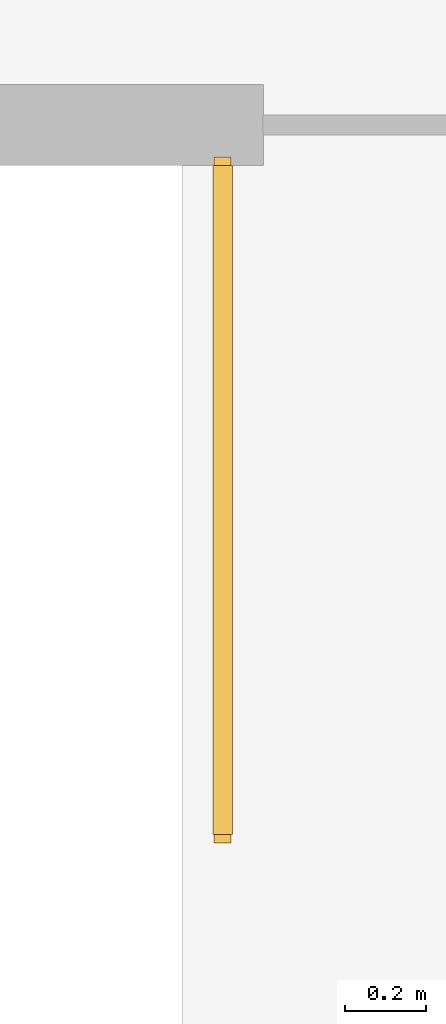
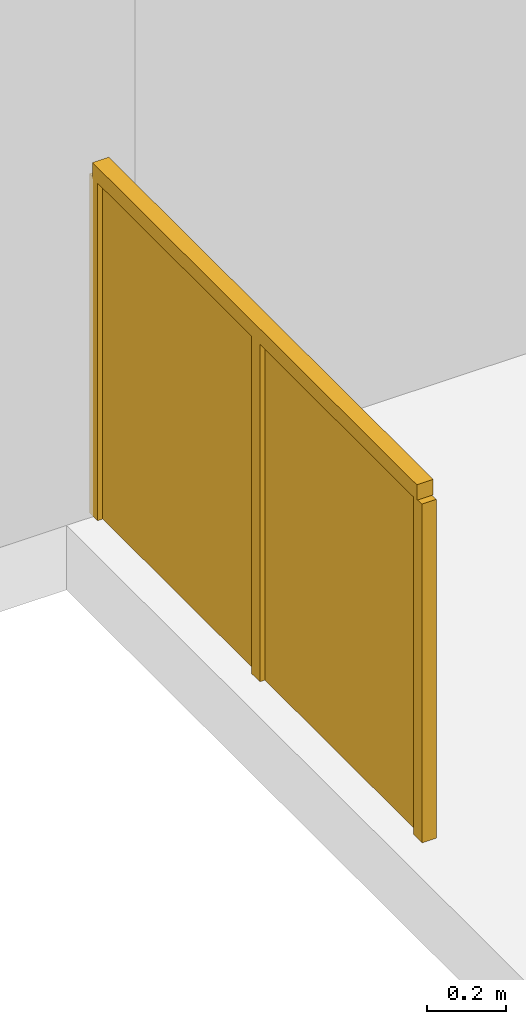
# One storey, part 17 of 22: 1 railing.
"""IFC4 building model written with IfcOpenShell, lengths in metres."""

from ifc_helpers import new_model, si_unit, direction, frame, origin, origin_2d, place, context, subcontext, project, spatial, polyline, rectangle, outline, extrude, material, type_object, element, save


model = new_model("IFC4")

# Units and contexts
model_context = context("Model", 3, precision=1e-05, world=origin(), true_north=direction((0.0, 1.0)))
body_context = subcontext(model_context, "Body", "Model", "MODEL_VIEW")
ifc_project = project(units=[si_unit("LENGTHUNIT", "METRE"), si_unit("AREAUNIT", "SQUARE_METRE"), si_unit("VOLUMEUNIT", "CUBIC_METRE"), si_unit("PLANEANGLEUNIT", "RADIAN"), si_unit("MASSUNIT", "GRAM", prefix="KILO")], contexts=[model_context])

# Site, building, storey
site_placement = place(None, origin())
site = spatial("IfcSite", under=ifc_project, at=site_placement, CompositionType="ELEMENT")
building_placement = place(site_placement, origin())
building = spatial("IfcBuilding", under=site, at=building_placement, Name="Cairn Pilgrim Tower", CompositionType="ELEMENT")
storey_placement = place(building_placement, frame((0.0, 0.0, 35.39990234375)))
storey = spatial("IfcBuildingStorey", under=building, at=storey_placement, Name="L06", CompositionType="ELEMENT", Elevation=35.39990234375)

# Railing
ifc_material = material(Name="Painted steel", Category="steel")
railing_type = type_object("IfcRailingType", Name="PODIUM STAIR GUARD 1100", PredefinedType="GUARDRAIL", material=ifc_material)
railing_placement = place(storey_placement, frame((-25.550048828125, -24.800048828125, 0.0)))
element("IfcRailing", 1, at=railing_placement, inside=storey, type_object=railing_type, Name="L06 ST-HS top well guard 1", PredefinedType="GUARDRAIL", context=body_context, shape_type="SweptSolid", body=[
    extrude(rectangle(XDim=0.048095703125, YDim=0.048095703125, at=origin_2d()), frame((0.0, 0.0, 1.076171875), z_axis=(0.0, -1.0, 0.0), x_axis=(1.0, 0.0, 0.0)), (0.0, 0.0, 1.0), 1.64990234375),
    extrude(rectangle(XDim=0.0419921875, YDim=0.0419921875, at=origin_2d()), origin(), (0.0, 0.0, 1.0), 1.052001953125),
    extrude(rectangle(XDim=0.0419921875, YDim=0.0419921875, at=origin_2d()), frame((0.0, -0.824951171875, 0.0)), (0.0, 0.0, 1.0), 1.052001953125),
    extrude(rectangle(XDim=0.0419921875, YDim=0.0419921875, at=origin_2d()), frame((0.0, -1.64990234375, 0.0)), (0.0, 0.0, 1.0), 1.052001953125),
    extrude(outline(polyline([(0.02099609375, 0.0), (0.803955078125, 0.0), (0.803955078125, 1.052001953125), (0.02099609375, 1.052001953125), (0.02099609375, 0.0)])), frame((0.005859375, 0.0, 0.0), z_axis=(-1.0, 0.0, 0.0), x_axis=(0.0, -1.0, 0.0)), (0.0, 0.0, 1.0), 0.011962890625),
    extrude(outline(polyline([(0.02099609375, 0.0), (0.803955078125, 0.0), (0.803955078125, 1.052001953125), (0.02099609375, 1.052001953125), (0.02099609375, 0.0)])), frame((0.005859375, -0.824951171875, 0.0), z_axis=(-1.0, 0.0, 0.0), x_axis=(0.0, -1.0, 0.0)), (0.0, 0.0, 1.0), 0.011962890625),
])

save(model, "model.ifc")
